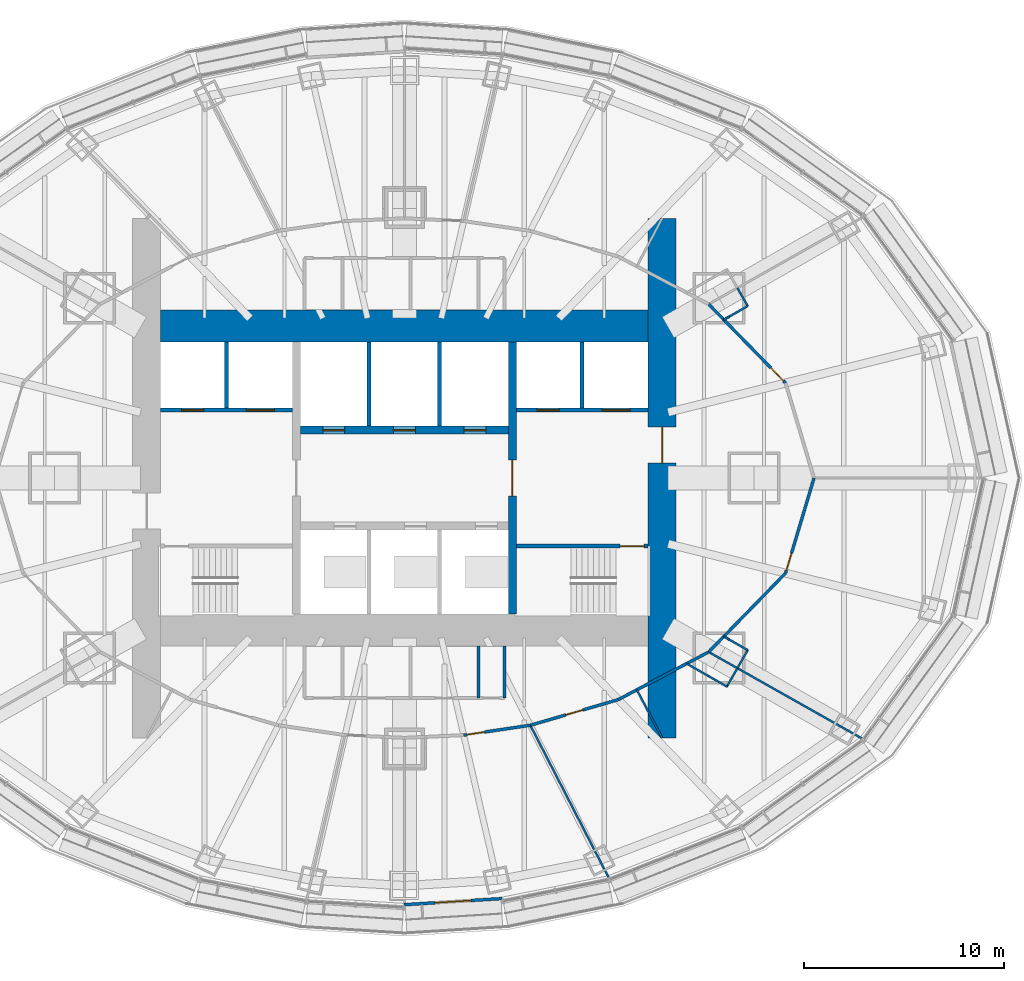
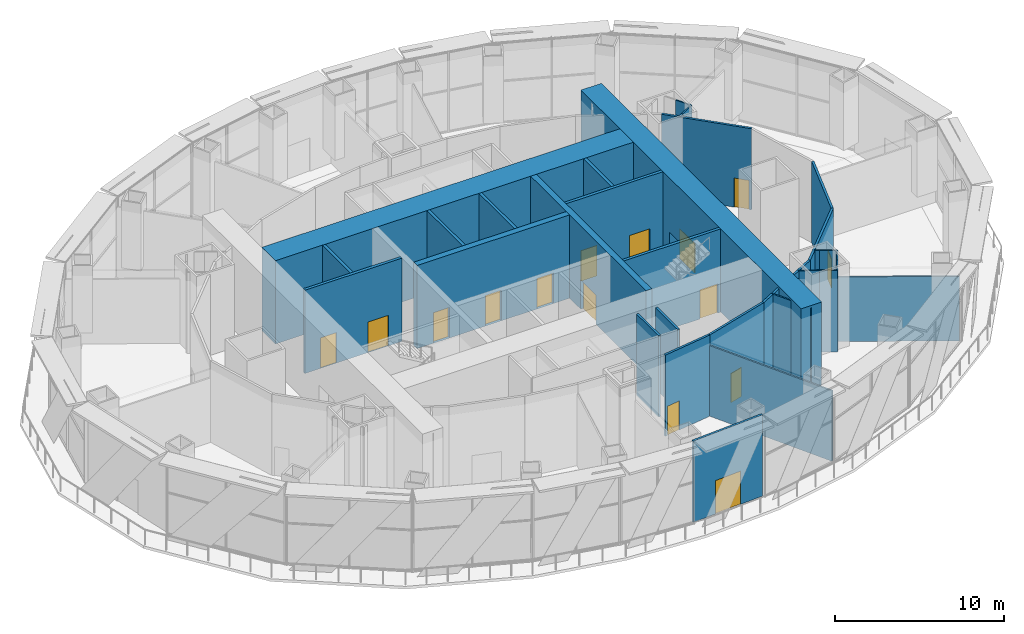
# One storey, part 12 of 21: 32 walls, 15 doors, 15 openings.
"""IFC4 building model written with IfcOpenShell, lengths in metres."""

from ifc_helpers import new_model, si_unit, direction, frame, frame_2d, origin, place, context, subcontext, project, spatial, rectangle, extrude, material, layer, layer_set, type_object, element, fill, save


model = new_model("IFC4")

# Units and contexts
model_context = context("Model", 3, precision=1e-05, world=origin(), true_north=direction((0.0, 1.0)))
body_context = subcontext(model_context, "Body", "Model", "MODEL_VIEW")
ifc_project = project(units=[si_unit("LENGTHUNIT", "METRE"), si_unit("AREAUNIT", "SQUARE_METRE"), si_unit("VOLUMEUNIT", "CUBIC_METRE"), si_unit("PLANEANGLEUNIT", "RADIAN"), si_unit("MASSUNIT", "GRAM", prefix="KILO")], contexts=[model_context])

# Site, building, storey
site_placement = place(None, origin())
site = spatial("IfcSite", under=ifc_project, at=site_placement, CompositionType="ELEMENT")
building_placement = place(site_placement, origin())
building = spatial("IfcBuilding", under=site, at=building_placement, Name="Lantaw Convention Tower", CompositionType="ELEMENT")
storey_placement = place(building_placement, frame((0.0, 0.0, 111.39990234375)))
storey = spatial("IfcBuildingStorey", under=building, at=storey_placement, Name="L26", CompositionType="ELEMENT", Elevation=111.39990234375)

# Walls
ifc_material_1 = material(Name="Fire-rated board casing on steel studs", Category="steel")
ifc_layer_1 = layer(ifc_material_1, 0.10009765625)
ifc_layer_set_1 = layer_set([ifc_layer_1], Name="Casing wall 100 EI 120")
wall_type_1 = type_object("IfcWallType", Name="Casing wall 100 EI 120", PredefinedType="PARTITIONING", material=ifc_layer_set_1)
wall_1_placement = place(storey_placement, frame((16.140625, -10.4326171875, 0.0), z_axis=(0.0, 0.0, 1.0), x_axis=(-0.868214523334, 0.496189017888, 0.0)))
element("IfcWall", 1, at=wall_1_placement, inside=storey, type_object=wall_type_1, Name="Casing wall 100", PredefinedType="PARTITIONING", context=body_context, shape_type="SweptSolid", body=[
    extrude(rectangle(XDim=1.050048828125, YDim=0.10009765625, at=frame_2d((0.52490234375, 0.0))), origin(), (0.0, 0.0, 1.0), 5.85009765625),
])
wall_2_placement = place(storey_placement, frame((15.22900390625, -9.91162109375, 0.0), z_axis=(0.0, 0.0, 1.0), x_axis=(-0.868290539594, 0.496055983587, 0.0)))
element("IfcWall", 2, at=wall_2_placement, inside=storey, type_object=wall_type_1, Name="Casing wall 100", PredefinedType="PARTITIONING", context=body_context, shape_type="SweptSolid", body=[
    extrude(rectangle(XDim=1.267822265625, YDim=0.10009765625, at=frame_2d((0.6337890625, 0.0))), origin(), (0.0, 0.0, 1.0), 5.85009765625),
])
wall_3_placement = place(storey_placement, frame((15.98681640625, -7.926025390625, 0.0), z_axis=(0.0, 0.0, 1.0), x_axis=(0.868289043195, -0.496058602856, 0.0)))
element("IfcWall", 3, at=wall_3_placement, inside=storey, type_object=wall_type_1, Name="Casing wall 100", PredefinedType="PARTITIONING", context=body_context, shape_type="SweptSolid", body=[
    extrude(rectangle(XDim=0.327392578125, YDim=0.10009765625, at=frame_2d((0.16357421875, 0.0))), origin(), (0.0, 0.0, 1.0), 5.85009765625),
])
wall_4_placement = place(storey_placement, frame((16.27099609375, -8.08837890625, 0.0), z_axis=(0.0, 0.0, 1.0), x_axis=(0.868214523334, -0.496189017888, 0.0)))
element("IfcWall", 4, at=wall_4_placement, inside=storey, type_object=wall_type_1, Name="Casing wall 100", PredefinedType="PARTITIONING", context=body_context, shape_type="SweptSolid", body=[
    extrude(rectangle(XDim=1.050048828125, YDim=0.10009765625, at=frame_2d((0.52490234375, 0.0))), origin(), (0.0, 0.0, 1.0), 5.85009765625),
])
wall_5_placement = place(storey_placement, frame((17.1826171875, -8.609375, 0.0), z_axis=(0.0, 0.0, 1.0), x_axis=(-0.49623995811, -0.868185408755, 0.0)))
element("IfcWall", 5, at=wall_5_placement, inside=storey, type_object=wall_type_1, Name="Casing wall 100", PredefinedType="PARTITIONING", context=body_context, shape_type="SweptSolid", body=[
    extrude(rectangle(XDim=1.041015625, YDim=0.10009765625, at=frame_2d((0.5205078125, 0.0))), origin(), (0.0, 0.0, 1.0), 5.85009765625),
])
for number, where, z_axis, x_axis, name in (
    (6, (16.66162109375, -9.52099609375, 0.0), (0.0, 0.0, 1.0), (-0.496189017888, -0.868214523334, 0.0), "Casing wall 100"),
    (7, (17.1826171875, 8.609375, 0.0), (0.0, 0.0, 1.0), (-0.868214523334, -0.496189017888, 0.0), "Casing wall 100"),
):
    element("IfcWall", number, at=place(storey_placement, frame(where, z_axis=z_axis, x_axis=x_axis)), inside=storey, type_object=wall_type_1, Name=name, PredefinedType="PARTITIONING", context=body_context, shape_type="SweptSolid", body=[
        extrude(rectangle(XDim=1.050048828125, YDim=0.10009765625, at=frame_2d((0.52490234375, 0.0))), origin(), (0.0, 0.0, 1.0), 5.85009765625),
    ])
wall_6_placement = place(storey_placement, frame((16.27099609375, 8.08837890625, 0.0), z_axis=(0.0, 0.0, 1.0), x_axis=(-0.868289043195, -0.496058602856, 0.0)))
element("IfcWall", 8, at=wall_6_placement, inside=storey, type_object=wall_type_1, Name="Casing wall 100", PredefinedType="PARTITIONING", context=body_context, shape_type="SweptSolid", body=[
    extrude(rectangle(XDim=0.327392578125, YDim=0.10009765625, at=frame_2d((0.16357421875, 0.0))), origin(), (0.0, 0.0, 1.0), 5.85009765625),
])
wall_7_placement = place(storey_placement, frame((16.666015625, 9.51318359375, 0.0), z_axis=(0.0, 0.0, 1.0), x_axis=(0.49623995811, -0.868185408755, 0.0)))
element("IfcWall", 9, at=wall_7_placement, inside=storey, type_object=wall_type_1, Name="Casing wall 100", PredefinedType="PARTITIONING", context=body_context, shape_type="SweptSolid", body=[
    extrude(rectangle(XDim=1.041015625, YDim=0.10009765625, at=frame_2d((0.5205078125, 0.0))), origin(), (0.0, 0.0, 1.0), 5.85009765625),
])

# Wall, opening, door
ifc_material_2 = material(Name="Concrete C60/75", Category="concrete")
ifc_layer_2 = layer(ifc_material_2, 1.39990234375)
ifc_layer_set_2 = layer_set([ifc_layer_2], Name="Core wall 1400")
wall_type_2 = type_object("IfcWallType", Name="Core wall 1400", PredefinedType="SHEAR", material=ifc_layer_set_2)
wall_8_placement = place(storey_placement, frame((12.89990234375, -13.0, 0.0), z_axis=(0.0, 0.0, 1.0), x_axis=(0.0, 1.0, 0.0)))
wall_8 = element("IfcWall", 10, at=wall_8_placement, inside=storey, type_object=wall_type_2, Name="Core wall E", PredefinedType="SHEAR", context=body_context, shape_type="SweptSolid", body=[
    extrude(rectangle(XDim=26.0, YDim=1.39990234375, at=frame_2d((13.0, 0.0))), origin(), (0.0, 0.0, 1.0), 6.0),
])
opening_1_placement = place(wall_8_placement, frame((13.75, 0.0, 0.0)))
opening_1 = element("IfcOpeningElement", 11, at=opening_1_placement, cuts=wall_8, Name="Opening L26.05", PredefinedType="OPENING", context=body_context, shape_type="SweptSolid", body=[
    extrude(rectangle(XDim=1.800048828125, YDim=2.10009765625, at=frame_2d((0.89990234375, 1.050048828125))), frame((0.0, 0.7099609375, 0.0), z_axis=(0.0, -1.0, 0.0), x_axis=(1.0, 0.0, 0.0)), (0.0, 0.0, 1.0), 1.419921875),
])
ifc_material_3 = material(Name="Steel, fire rated", Category="steel")
door_type_1 = type_object("IfcDoorType", Name="Lobby double door FD90", OperationType="DOUBLE_DOOR_DOUBLE_SWING", PredefinedType="DOOR", material=ifc_material_3)
door_1_placement = place(opening_1_placement, origin())
door_1 = element("IfcDoor", 12, at=door_1_placement, inside=storey, type_object=door_type_1, Name="Firefighting lobby door", OperationType="DOUBLE_DOOR_DOUBLE_SWING", OverallHeight=2.10009765625, OverallWidth=1.800048828125, PredefinedType="DOOR", context=body_context, shape_type="SweptSolid", body=[
    extrude(rectangle(XDim=1.800048828125, YDim=2.10009765625, at=frame_2d((0.89990234375, 1.050048828125))), frame((0.0, 0.02490234375, 0.0), z_axis=(0.0, -1.0, 0.0), x_axis=(1.0, 0.0, 0.0)), (0.0, 0.0, 1.0), 0.050048828125),
])
fill(opening_1, door_1)

# Wall
ifc_layer_3 = layer(ifc_material_2, 1.60009765625)
ifc_layer_set_3 = layer_set([ifc_layer_3], Name="Core wall 1600")
wall_type_3 = type_object("IfcWallType", Name="Core wall 1600", PredefinedType="SHEAR", material=ifc_layer_set_3)
wall_9_placement = place(storey_placement, frame((12.199951171875, 7.60009765625, 0.0), z_axis=(0.0, 0.0, 1.0), x_axis=(-1.0, 0.0, 0.0)))
element("IfcWall", 13, at=wall_9_placement, inside=storey, type_object=wall_type_3, Name="Core wall N", PredefinedType="SHEAR", context=body_context, shape_type="SweptSolid", body=[
    extrude(rectangle(XDim=24.39990234375, YDim=1.60009765625, at=frame_2d((12.199951171875, 0.0))), origin(), (0.0, 0.0, 1.0), 6.0),
])

# Wall, opening, door
ifc_layer_4 = layer(ifc_material_2, 0.199951171875)
ifc_layer_set_4 = layer_set([ifc_layer_4], Name="Core wall 200")
wall_type_4 = type_object("IfcWallType", Name="Core wall 200", PredefinedType="SHEAR", material=ifc_layer_set_4)
wall_10_placement = place(storey_placement, frame((5.60009765625, -3.39990234375, 0.0), z_axis=(0.0, 0.0, 1.0), x_axis=(1.0, 0.0, 0.0)))
wall_10 = element("IfcWall", 14, at=wall_10_placement, inside=storey, type_object=wall_type_4, Name="Core wall ES", PredefinedType="SHEAR", context=body_context, shape_type="SweptSolid", body=[
    extrude(rectangle(XDim=6.599853515625, YDim=0.199951171875, at=frame_2d((3.2998046875, 0.0))), origin(), (0.0, 0.0, 1.0), 6.0),
])
opening_2_placement = place(wall_10_placement, frame((5.199951171875, 0.0, 0.0)))
opening_2 = element("IfcOpeningElement", 15, at=opening_2_placement, cuts=wall_10, Name="Opening L26.03", PredefinedType="OPENING", context=body_context, shape_type="SweptSolid", body=[
    extrude(rectangle(XDim=1.199951171875, YDim=2.10009765625, at=frame_2d((0.60009765625, 1.050048828125))), frame((0.0, 0.10986328125, 0.0), z_axis=(0.0, -1.0, 0.0), x_axis=(1.0, 0.0, 0.0)), (0.0, 0.0, 1.0), 0.219970703125),
])
door_type_2 = type_object("IfcDoorType", Name="Stair door FD90", OperationType="SINGLE_SWING_RIGHT", PredefinedType="DOOR", material=ifc_material_3)
door_2_placement = place(opening_2_placement, origin())
door_2 = element("IfcDoor", 16, at=door_2_placement, inside=storey, type_object=door_type_2, Name="Exit stair door", OperationType="SINGLE_SWING_RIGHT", OverallHeight=2.10009765625, OverallWidth=1.199951171875, PredefinedType="DOOR", context=body_context, shape_type="SweptSolid", body=[
    extrude(rectangle(XDim=1.199951171875, YDim=2.10009765625, at=frame_2d((0.60009765625, 1.050048828125))), frame((0.0, 0.02490234375, 0.0), z_axis=(0.0, -1.0, 0.0), x_axis=(1.0, 0.0, 0.0)), (0.0, 0.0, 1.0), 0.050048828125),
])
fill(opening_2, door_2)

ifc_layer_5 = layer(ifc_material_2, 0.39990234375)
ifc_layer_set_5 = layer_set([ifc_layer_5], Name="Core wall 400")
wall_type_5 = type_object("IfcWallType", Name="Core wall 400", PredefinedType="SHEAR", material=ifc_layer_set_5)
wall_11_placement = place(storey_placement, frame((5.39990234375, -6.800048828125, 0.0), z_axis=(0.0, 0.0, 1.0), x_axis=(0.0, 1.0, 0.0)))
wall_11 = element("IfcWall", 17, at=wall_11_placement, inside=storey, type_object=wall_type_5, Name="Core wall XE", PredefinedType="SHEAR", context=body_context, shape_type="SweptSolid", body=[
    extrude(rectangle(XDim=13.60009765625, YDim=0.39990234375, at=frame_2d((6.800048828125, 0.0))), origin(), (0.0, 0.0, 1.0), 6.0),
])
opening_3_placement = place(wall_11_placement, frame((5.89990234375, 0.0, 0.0)))
opening_3 = element("IfcOpeningElement", 18, at=opening_3_placement, cuts=wall_11, Name="Opening L26.01", PredefinedType="OPENING", context=body_context, shape_type="SweptSolid", body=[
    extrude(rectangle(XDim=1.800048828125, YDim=2.10009765625, at=frame_2d((0.89990234375, 1.050048828125))), frame((0.0, 0.2099609375, 0.0), z_axis=(0.0, -1.0, 0.0), x_axis=(1.0, 0.0, 0.0)), (0.0, 0.0, 1.0), 0.419921875),
])
door_3_placement = place(opening_3_placement, origin())
door_3 = element("IfcDoor", 19, at=door_3_placement, inside=storey, type_object=door_type_1, Name="Lift lobby door", OperationType="DOUBLE_DOOR_DOUBLE_SWING", OverallHeight=2.10009765625, OverallWidth=1.800048828125, PredefinedType="DOOR", context=body_context, shape_type="SweptSolid", body=[
    extrude(rectangle(XDim=1.800048828125, YDim=2.10009765625, at=frame_2d((0.89990234375, 1.050048828125))), frame((0.0, 0.02490234375, 0.0), z_axis=(0.0, -1.0, 0.0), x_axis=(1.0, 0.0, 0.0)), (0.0, 0.0, 1.0), 0.050048828125),
])
fill(opening_3, door_3)

# Wall, openings, doors
wall_12_placement = place(storey_placement, frame((5.199951171875, 2.39990234375, 0.0), z_axis=(0.0, 0.0, 1.0), x_axis=(-1.0, 0.0, 0.0)))
wall_12 = element("IfcWall", 20, at=wall_12_placement, inside=storey, type_object=wall_type_5, Name="Core wall BN", PredefinedType="SHEAR", context=body_context, shape_type="SweptSolid", body=[
    extrude(rectangle(XDim=10.39990234375, YDim=0.39990234375, at=frame_2d((5.199951171875, 0.0))), origin(), (0.0, 0.0, 1.0), 6.0),
])
opening_4_placement = place(wall_12_placement, frame((8.183349609375, 0.0, 0.0)))
opening_4 = element("IfcOpeningElement", 21, at=opening_4_placement, cuts=wall_12, Name="Opening L26.07", PredefinedType="OPENING", context=body_context, shape_type="SweptSolid", body=[
    extrude(rectangle(XDim=1.10009765625, YDim=2.199951171875, at=frame_2d((0.550048828125, 1.10009765625))), frame((0.0, 0.2099609375, 0.0), z_axis=(0.0, -1.0, 0.0), x_axis=(1.0, 0.0, 0.0)), (0.0, 0.0, 1.0), 0.419921875),
])
opening_5_placement = place(wall_12_placement, frame((4.64990234375, 0.0, 0.0)))
opening_5 = element("IfcOpeningElement", 22, at=opening_5_placement, cuts=wall_12, Name="Opening L26.09", PredefinedType="OPENING", context=body_context, shape_type="SweptSolid", body=[
    extrude(rectangle(XDim=1.10009765625, YDim=2.199951171875, at=frame_2d((0.550048828125, 1.10009765625))), frame((0.0, 0.2099609375, 0.0), z_axis=(0.0, -1.0, 0.0), x_axis=(1.0, 0.0, 0.0)), (0.0, 0.0, 1.0), 0.419921875),
])
opening_6_placement = place(wall_12_placement, frame((1.11669921875, 0.0, 0.0)))
opening_6 = element("IfcOpeningElement", 23, at=opening_6_placement, cuts=wall_12, Name="Opening L26.11", PredefinedType="OPENING", context=body_context, shape_type="SweptSolid", body=[
    extrude(rectangle(XDim=1.10009765625, YDim=2.199951171875, at=frame_2d((0.550048828125, 1.10009765625))), frame((0.0, 0.2099609375, 0.0), z_axis=(0.0, -1.0, 0.0), x_axis=(1.0, 0.0, 0.0)), (0.0, 0.0, 1.0), 0.419921875),
])
ifc_material_4 = material(Name="Stainless steel", Category="steel")
door_type_3 = type_object("IfcDoorType", Name="Lift landing door 1100", OperationType="DOUBLE_DOOR_SLIDING", PredefinedType="DOOR", material=ifc_material_4)
door_4_placement = place(opening_4_placement, origin())
door_4 = element("IfcDoor", 24, at=door_4_placement, inside=storey, type_object=door_type_3, Name="Lift landing door N1", OperationType="DOUBLE_DOOR_SLIDING", OverallHeight=2.199951171875, OverallWidth=1.10009765625, PredefinedType="DOOR", context=body_context, shape_type="SweptSolid", body=[
    extrude(rectangle(XDim=1.10009765625, YDim=2.199951171875, at=frame_2d((0.550048828125, 1.10009765625))), frame((0.0, 0.02490234375, 0.0), z_axis=(0.0, -1.0, 0.0), x_axis=(1.0, 0.0, 0.0)), (0.0, 0.0, 1.0), 0.050048828125),
])
fill(opening_4, door_4)
door_5_placement = place(opening_5_placement, origin())
door_5 = element("IfcDoor", 25, at=door_5_placement, inside=storey, type_object=door_type_3, Name="Lift landing door N2", OperationType="DOUBLE_DOOR_SLIDING", OverallHeight=2.199951171875, OverallWidth=1.10009765625, PredefinedType="DOOR", context=body_context, shape_type="SweptSolid", body=[
    extrude(rectangle(XDim=1.10009765625, YDim=2.199951171875, at=frame_2d((0.550048828125, 1.10009765625))), frame((0.0, 0.02490234375, 0.0), z_axis=(0.0, -1.0, 0.0), x_axis=(1.0, 0.0, 0.0)), (0.0, 0.0, 1.0), 0.050048828125),
])
fill(opening_5, door_5)
door_6_placement = place(opening_6_placement, origin())
door_6 = element("IfcDoor", 26, at=door_6_placement, inside=storey, type_object=door_type_3, Name="Lift landing door N3", OperationType="DOUBLE_DOOR_SLIDING", OverallHeight=2.199951171875, OverallWidth=1.10009765625, PredefinedType="DOOR", context=body_context, shape_type="SweptSolid", body=[
    extrude(rectangle(XDim=1.10009765625, YDim=2.199951171875, at=frame_2d((0.550048828125, 1.10009765625))), frame((0.0, 0.02490234375, 0.0), z_axis=(0.0, -1.0, 0.0), x_axis=(1.0, 0.0, 0.0)), (0.0, 0.0, 1.0), 0.050048828125),
])
fill(opening_6, door_6)

# Wall, opening, door
ifc_material_5 = material(Name="Gypsum board on steel studs, fire rated", Category="steel")
ifc_layer_6 = layer(ifc_material_5, 0.14990234375)
ifc_layer_set_6 = layer_set([ifc_layer_6], Name="Corridor wall 150 EI 60")
wall_type_6 = type_object("IfcWallType", Name="Corridor wall 150 EI 60", PredefinedType="PARTITIONING", material=ifc_layer_set_6)
wall_13_placement = place(storey_placement, frame((19.078369140625, 4.7568359375, 0.0), z_axis=(0.0, 0.0, 1.0), x_axis=(-0.698305033542, 0.715800307439, 0.0)))
wall_13 = element("IfcWall", 27, at=wall_13_placement, inside=storey, type_object=wall_type_6, Name="Corridor wall 150", PredefinedType="PARTITIONING", context=body_context, shape_type="SweptSolid", body=[
    extrude(rectangle(XDim=5.51220703125, YDim=0.14990234375, at=frame_2d((2.756103515625, 0.0))), origin(), (0.0, 0.0, 1.0), 5.85009765625),
])
opening_7_placement = place(wall_13_placement, frame((0.14990234375, 0.0, 0.0)))
opening_7 = element("IfcOpeningElement", 28, at=opening_7_placement, cuts=wall_13, Name="Opening L26.25", PredefinedType="OPENING", context=body_context, shape_type="SweptSolid", body=[
    extrude(rectangle(XDim=0.89990234375, YDim=2.10009765625, at=frame_2d((0.449951171875, 1.050048828125))), frame((0.0, 0.0849609375, 0.0), z_axis=(0.0, -1.0, 0.0), x_axis=(1.0, 0.0, 0.0)), (0.0, 0.0, 1.0), 0.169921875),
])
door_type_4 = type_object("IfcDoorType", Name="Office door 900 FD30", OperationType="SINGLE_SWING_LEFT", PredefinedType="DOOR", material=ifc_material_3)
door_7_placement = place(opening_7_placement, origin())
door_7 = element("IfcDoor", 29, at=door_7_placement, inside=storey, type_object=door_type_4, Name="Tenant services office door", OperationType="SINGLE_SWING_LEFT", OverallHeight=2.10009765625, OverallWidth=0.89990234375, PredefinedType="DOOR", context=body_context, shape_type="SweptSolid", body=[
    extrude(rectangle(XDim=0.89990234375, YDim=2.10009765625, at=frame_2d((0.449951171875, 1.050048828125))), frame((0.0, 0.02490234375, 0.0), z_axis=(0.0, -1.0, 0.0), x_axis=(1.0, 0.0, 0.0)), (0.0, 0.0, 1.0), 0.050048828125),
])
fill(opening_7, door_7)

wall_14_placement = place(storey_placement, frame((2.9697265625, -12.86279296875, 0.0), z_axis=(0.0, 0.0, 1.0), x_axis=(0.989262902935, 0.146146874329, 0.0)))
wall_14 = element("IfcWall", 30, at=wall_14_placement, inside=storey, type_object=wall_type_6, Name="Corridor wall 150", PredefinedType="PARTITIONING", context=body_context, shape_type="SweptSolid", body=[
    extrude(rectangle(XDim=3.369384765625, YDim=0.14990234375, at=frame_2d((1.6845703125, 0.0))), origin(), (0.0, 0.0, 1.0), 5.85009765625),
])
opening_8_placement = place(wall_14_placement, frame((0.14990234375, 0.0, 0.0)))
opening_8 = element("IfcOpeningElement", 31, at=opening_8_placement, cuts=wall_14, Name="Opening L26.35", PredefinedType="OPENING", context=body_context, shape_type="SweptSolid", body=[
    extrude(rectangle(XDim=0.89990234375, YDim=2.10009765625, at=frame_2d((0.449951171875, 1.050048828125))), frame((0.0, 0.0849609375, 0.0), z_axis=(0.0, -1.0, 0.0), x_axis=(1.0, 0.0, 0.0)), (0.0, 0.0, 1.0), 0.169921875),
])
door_8_placement = place(opening_8_placement, origin())
door_8 = element("IfcDoor", 32, at=door_8_placement, inside=storey, type_object=door_type_4, Name="Concierge office door", OperationType="SINGLE_SWING_LEFT", OverallHeight=2.10009765625, OverallWidth=0.89990234375, PredefinedType="DOOR", context=body_context, shape_type="SweptSolid", body=[
    extrude(rectangle(XDim=0.89990234375, YDim=2.10009765625, at=frame_2d((0.449951171875, 1.050048828125))), frame((0.0, 0.02490234375, 0.0), z_axis=(0.0, -1.0, 0.0), x_axis=(1.0, 0.0, 0.0)), (0.0, 0.0, 1.0), 0.050048828125),
])
fill(opening_8, door_8)

wall_15_placement = place(storey_placement, frame((6.302978515625, -12.370361328125, 0.0), z_axis=(0.0, 0.0, 1.0), x_axis=(0.96001728753, 0.279940721659, 0.0)))
wall_15 = element("IfcWall", 33, at=wall_15_placement, inside=storey, type_object=wall_type_6, Name="Corridor wall 150", PredefinedType="PARTITIONING", context=body_context, shape_type="SweptSolid", body=[
    extrude(rectangle(XDim=4.58642578125, YDim=0.14990234375, at=frame_2d((2.293212890625, 0.0))), origin(), (0.0, 0.0, 1.0), 5.85009765625),
])
opening_9_placement = place(wall_15_placement, frame((1.84326171875, 0.0, 0.0)))
opening_9 = element("IfcOpeningElement", 34, at=opening_9_placement, cuts=wall_15, Name="Opening L26.36", PredefinedType="OPENING", context=body_context, shape_type="SweptSolid", body=[
    extrude(rectangle(XDim=0.89990234375, YDim=2.10009765625, at=frame_2d((0.449951171875, 1.050048828125))), frame((0.0, 0.0849609375, 0.0), z_axis=(0.0, -1.0, 0.0), x_axis=(1.0, 0.0, 0.0)), (0.0, 0.0, 1.0), 0.169921875),
])
door_9_placement = place(opening_9_placement, origin())
door_9 = element("IfcDoor", 35, at=door_9_placement, inside=storey, type_object=door_type_4, Name="Business centre office door", OperationType="SINGLE_SWING_LEFT", OverallHeight=2.10009765625, OverallWidth=0.89990234375, PredefinedType="DOOR", context=body_context, shape_type="SweptSolid", body=[
    extrude(rectangle(XDim=0.89990234375, YDim=2.10009765625, at=frame_2d((0.449951171875, 1.050048828125))), frame((0.0, 0.02490234375, 0.0), z_axis=(0.0, -1.0, 0.0), x_axis=(1.0, 0.0, 0.0)), (0.0, 0.0, 1.0), 0.050048828125),
])
fill(opening_9, door_9)

# Walls
wall_16_placement = place(storey_placement, frame((10.7060546875, -11.08642578125, 0.0), z_axis=(0.0, 0.0, 1.0), x_axis=(0.884643590306, 0.466267860924, 0.0)))
element("IfcWall", 36, at=wall_16_placement, inside=storey, type_object=wall_type_6, Name="Corridor wall 150", PredefinedType="PARTITIONING", context=body_context, shape_type="SweptSolid", body=[
    extrude(rectangle(XDim=5.113037109375, YDim=0.14990234375, at=frame_2d((2.556640625, 0.0))), origin(), (0.0, 0.0, 1.0), 5.85009765625),
])
wall_17_placement = place(storey_placement, frame((15.229248046875, -8.702392578125, 0.0), z_axis=(0.0, 0.0, 1.0), x_axis=(0.698305033542, 0.715800307439, 0.0)))
element("IfcWall", 37, at=wall_17_placement, inside=storey, type_object=wall_type_6, Name="Corridor wall 150", PredefinedType="PARTITIONING", context=body_context, shape_type="SweptSolid", body=[
    extrude(rectangle(XDim=5.51220703125, YDim=0.14990234375, at=frame_2d((2.756103515625, 0.0))), origin(), (0.0, 0.0, 1.0), 5.85009765625),
])

# Wall, opening, door
wall_18_placement = place(storey_placement, frame((19.078369140625, -4.7568359375, 0.0), z_axis=(0.0, 0.0, 1.0), x_axis=(0.286346182056, 0.958126225516, 0.0)))
wall_18 = element("IfcWall", 38, at=wall_18_placement, inside=storey, type_object=wall_type_6, Name="Corridor wall 150", PredefinedType="PARTITIONING", context=body_context, shape_type="SweptSolid", body=[
    extrude(rectangle(XDim=4.96484375, YDim=0.14990234375, at=frame_2d((2.482421875, 0.0))), origin(), (0.0, 0.0, 1.0), 5.85009765625),
])
opening_10_placement = place(wall_18_placement, frame((0.14990234375, 0.0, 0.0)))
opening_10 = element("IfcOpeningElement", 39, at=opening_10_placement, cuts=wall_18, Name="Opening L26.37", PredefinedType="OPENING", context=body_context, shape_type="SweptSolid", body=[
    extrude(rectangle(XDim=0.89990234375, YDim=2.10009765625, at=frame_2d((0.449951171875, 1.050048828125))), frame((0.0, 0.0849609375, 0.0), z_axis=(0.0, -1.0, 0.0), x_axis=(1.0, 0.0, 0.0)), (0.0, 0.0, 1.0), 0.169921875),
])
door_10_placement = place(opening_10_placement, origin())
door_10 = element("IfcDoor", 40, at=door_10_placement, inside=storey, type_object=door_type_4, Name="Business centre office door", OperationType="SINGLE_SWING_LEFT", OverallHeight=2.10009765625, OverallWidth=0.89990234375, PredefinedType="DOOR", context=body_context, shape_type="SweptSolid", body=[
    extrude(rectangle(XDim=0.89990234375, YDim=2.10009765625, at=frame_2d((0.449951171875, 1.050048828125))), frame((0.0, 0.02490234375, 0.0), z_axis=(0.0, -1.0, 0.0), x_axis=(1.0, 0.0, 0.0)), (0.0, 0.0, 1.0), 0.050048828125),
])
fill(opening_10, door_10)

ifc_material_6 = material(Name="Aluminium framed glazing", Category="aluminium")
ifc_layer_7 = layer(ifc_material_6, 0.14990234375)
ifc_layer_set_7 = layer_set([ifc_layer_7], Name="Glazed entrance screen 150")
wall_type_7 = type_object("IfcWallType", Name="Glazed entrance screen 150", PredefinedType="ELEMENTEDWALL", material=ifc_layer_set_7)
wall_19_placement = place(storey_placement, frame((-0.009521484375, -21.350341796875, 0.0), z_axis=(0.0, 0.0, 1.0), x_axis=(0.998023012605, 0.062849552989, 0.0)))
wall_19 = element("IfcWall", 41, at=wall_19_placement, inside=storey, type_object=wall_type_7, Name="Glazed entrance screen", PredefinedType="ELEMENTEDWALL", context=body_context, shape_type="SweptSolid", body=[
    extrude(rectangle(XDim=4.90234375, YDim=0.14990234375, at=frame_2d((2.451171875, 0.0))), origin(), (0.0, 0.0, 1.0), 5.85009765625),
])
opening_11_placement = place(wall_19_placement, frame((1.551025390625, 0.0, 0.0)))
opening_11 = element("IfcOpeningElement", 42, at=opening_11_placement, cuts=wall_19, Name="Opening L26.E18", PredefinedType="OPENING", context=body_context, shape_type="SweptSolid", body=[
    extrude(rectangle(XDim=1.800048828125, YDim=2.39990234375, at=frame_2d((0.89990234375, 1.199951171875))), frame((0.0, 0.0849609375, 0.0), z_axis=(0.0, -1.0, 0.0), x_axis=(1.0, 0.0, 0.0)), (0.0, 0.0, 1.0), 0.169921875),
])
ifc_material_7 = material(Name="Aluminium and glass", Category="aluminium")
door_type_5 = type_object("IfcDoorType", Name="Terrace door 1800", OperationType="DOUBLE_DOOR_DOUBLE_SWING", PredefinedType="DOOR", material=ifc_material_7)
door_11_placement = place(opening_11_placement, origin())
door_11 = element("IfcDoor", 43, at=door_11_placement, inside=storey, type_object=door_type_5, Name="Terrace door", OperationType="DOUBLE_DOOR_DOUBLE_SWING", OverallHeight=2.39990234375, OverallWidth=1.800048828125, PredefinedType="DOOR", context=body_context, shape_type="SweptSolid", body=[
    extrude(rectangle(XDim=1.800048828125, YDim=2.39990234375, at=frame_2d((0.89990234375, 1.199951171875))), frame((0.0, 0.02490234375, 0.0), z_axis=(0.0, -1.0, 0.0), x_axis=(1.0, 0.0, 0.0)), (0.0, 0.0, 1.0), 0.050048828125),
])
fill(opening_11, door_11)

# Walls
ifc_material_8 = material(Name="Gypsum board on steel studs, acoustic", Category="steel")
ifc_layer_8 = layer(ifc_material_8, 0.10009765625)
ifc_layer_set_8 = layer_set([ifc_layer_8], Name="Office partition 100")
wall_type_8 = type_object("IfcWallType", Name="Office partition 100", PredefinedType="PARTITIONING", material=ifc_layer_set_8)
wall_20_placement = place(storey_placement, frame((10.253173828125, -20.0517578125, 0.0), z_axis=(0.0, 0.0, 1.0), x_axis=(-0.457326298316, 0.88929896934, 0.0)))
element("IfcWall", 44, at=wall_20_placement, inside=storey, type_object=wall_type_8, Name="Office partition 100", PredefinedType="PARTITIONING", context=body_context, shape_type="SweptSolid", body=[
    extrude(rectangle(XDim=8.6376953125, YDim=0.10009765625, at=frame_2d((4.31884765625, 0.0))), origin(), (0.0, 0.0, 1.0), 5.08056640625),
])
wall_21_placement = place(storey_placement, frame((22.94921875, -13.05908203125, 0.0), z_axis=(0.0, 0.0, 1.0), x_axis=(-0.870889908693, 0.491478144923, 0.0)))
element("IfcWall", 45, at=wall_21_placement, inside=storey, type_object=wall_type_8, Name="Office partition 100", PredefinedType="PARTITIONING", context=body_context, shape_type="SweptSolid", body=[
    extrude(rectangle(XDim=8.864501953125, YDim=0.10009765625, at=frame_2d((4.43212890625, 0.0))), origin(), (0.0, 0.0, 1.0), 4.650146484375),
])
wall_22_placement = place(storey_placement, frame((12.89990234375, -13.0, 0.0), z_axis=(0.0, 0.0, 1.0), x_axis=(-0.466205800243, 0.884676297761, 0.0)))
element("IfcWall", 46, at=wall_22_placement, inside=storey, type_object=wall_type_8, Name="Office partition 100", PredefinedType="PARTITIONING", context=body_context, shape_type="SweptSolid", body=[
    extrude(rectangle(XDim=2.7158203125, YDim=0.10009765625, at=frame_2d((1.35791015625, 0.0))), origin(), (0.0, 0.0, 1.0), 5.85009765625),
])
ifc_material_9 = material(Name="Concrete blockwork, fire rated", Category="masonry")
ifc_layer_9 = layer(ifc_material_9, 0.199951171875)
ifc_layer_set_9 = layer_set([ifc_layer_9], Name="Shaft wall 200")
wall_type_9 = type_object("IfcWallType", Name="Shaft wall 200", PredefinedType="SOLIDWALL", material=ifc_layer_set_9)
for number, where, z_axis, x_axis, name in (
    (47, (-1.7666015625, 2.60009765625, 0.0), (0.0, 0.0, 1.0), (0.0, 1.0, 0.0), "Shaft wall DN1"),
    (48, (1.7666015625, 2.60009765625, 0.0), (0.0, 0.0, 1.0), (0.0, 1.0, 0.0), "Shaft wall DN2"),
):
    element("IfcWall", number, at=place(storey_placement, frame(where, z_axis=z_axis, x_axis=x_axis)), inside=storey, type_object=wall_type_9, Name=name, PredefinedType="SOLIDWALL", context=body_context, shape_type="SweptSolid", body=[
        extrude(rectangle(XDim=4.199951171875, YDim=0.199951171875, at=frame_2d((2.10009765625, 0.0))), origin(), (0.0, 0.0, 1.0), 6.0),
    ])

# Wall, openings, doors
wall_23_placement = place(storey_placement, frame((12.199951171875, 3.39990234375, 0.0), z_axis=(0.0, 0.0, 1.0), x_axis=(-1.0, 0.0, 0.0)))
wall_23 = element("IfcWall", 49, at=wall_23_placement, inside=storey, type_object=wall_type_9, Name="Shaft wall EN", PredefinedType="SOLIDWALL", context=body_context, shape_type="SweptSolid", body=[
    extrude(rectangle(XDim=6.599853515625, YDim=0.199951171875, at=frame_2d((3.2998046875, 0.0))), origin(), (0.0, 0.0, 1.0), 6.0),
])
opening_12_placement = place(wall_23_placement, frame((4.449951171875, 0.0, 0.0)))
opening_12 = element("IfcOpeningElement", 50, at=opening_12_placement, cuts=wall_23, Name="Opening L26.15", PredefinedType="OPENING", context=body_context, shape_type="SweptSolid", body=[
    extrude(rectangle(XDim=1.10009765625, YDim=2.199951171875, at=frame_2d((0.550048828125, 1.10009765625))), frame((0.0, 0.10986328125, 0.0), z_axis=(0.0, -1.0, 0.0), x_axis=(1.0, 0.0, 0.0)), (0.0, 0.0, 1.0), 0.219970703125),
])
opening_13_placement = place(wall_23_placement, frame((0.89990234375, 0.0, 0.0)))
opening_13 = element("IfcOpeningElement", 51, at=opening_13_placement, cuts=wall_23, Name="Opening L26.16", PredefinedType="OPENING", context=body_context, shape_type="SweptSolid", body=[
    extrude(rectangle(XDim=1.39990234375, YDim=2.199951171875, at=frame_2d((0.699951171875, 1.10009765625))), frame((0.0, 0.10986328125, 0.0), z_axis=(0.0, -1.0, 0.0), x_axis=(1.0, 0.0, 0.0)), (0.0, 0.0, 1.0), 0.219970703125),
])
door_12_placement = place(opening_12_placement, origin())
door_12 = element("IfcDoor", 52, at=door_12_placement, inside=storey, type_object=door_type_3, Name="Lift landing door FF2", OperationType="DOUBLE_DOOR_SLIDING", OverallHeight=2.199951171875, OverallWidth=1.10009765625, PredefinedType="DOOR", context=body_context, shape_type="SweptSolid", body=[
    extrude(rectangle(XDim=1.10009765625, YDim=2.199951171875, at=frame_2d((0.550048828125, 1.10009765625))), frame((0.0, 0.02490234375, 0.0), z_axis=(0.0, -1.0, 0.0), x_axis=(1.0, 0.0, 0.0)), (0.0, 0.0, 1.0), 0.050048828125),
])
fill(opening_12, door_12)
door_type_6 = type_object("IfcDoorType", Name="Lift landing door 1400", OperationType="DOUBLE_DOOR_SLIDING", PredefinedType="DOOR", material=ifc_material_4)
door_13_placement = place(opening_13_placement, origin())
door_13 = element("IfcDoor", 53, at=door_13_placement, inside=storey, type_object=door_type_6, Name="Lift landing door SV2", OperationType="DOUBLE_DOOR_SLIDING", OverallHeight=2.199951171875, OverallWidth=1.39990234375, PredefinedType="DOOR", context=body_context, shape_type="SweptSolid", body=[
    extrude(rectangle(XDim=1.39990234375, YDim=2.199951171875, at=frame_2d((0.699951171875, 1.10009765625))), frame((0.0, 0.02490234375, 0.0), z_axis=(0.0, -1.0, 0.0), x_axis=(1.0, 0.0, 0.0)), (0.0, 0.0, 1.0), 0.050048828125),
])
fill(opening_13, door_13)

# Wall
wall_24_placement = place(storey_placement, frame((8.89990234375, 3.5, 0.0), z_axis=(0.0, 0.0, 1.0), x_axis=(0.0, 1.0, 0.0)))
element("IfcWall", 54, at=wall_24_placement, inside=storey, type_object=wall_type_9, Name="Shaft wall ED", PredefinedType="SOLIDWALL", context=body_context, shape_type="SweptSolid", body=[
    extrude(rectangle(XDim=3.300048828125, YDim=0.199951171875, at=frame_2d((1.64990234375, 0.0))), origin(), (0.0, 0.0, 1.0), 6.0),
])

# Wall, openings, doors
wall_25_placement = place(storey_placement, frame((-12.199951171875, 3.39990234375, 0.0), z_axis=(0.0, 0.0, 1.0), x_axis=(1.0, 0.0, 0.0)))
wall_25 = element("IfcWall", 55, at=wall_25_placement, inside=storey, type_object=wall_type_9, Name="Shaft wall WN", PredefinedType="SOLIDWALL", context=body_context, shape_type="SweptSolid", body=[
    extrude(rectangle(XDim=6.599853515625, YDim=0.199951171875, at=frame_2d((3.2998046875, 0.0))), origin(), (0.0, 0.0, 1.0), 6.0),
])
opening_14_placement = place(wall_25_placement, frame((1.050048828125, 0.0, 0.0)))
opening_14 = element("IfcOpeningElement", 56, at=opening_14_placement, cuts=wall_25, Name="Opening L26.13", PredefinedType="OPENING", context=body_context, shape_type="SweptSolid", body=[
    extrude(rectangle(XDim=1.10009765625, YDim=2.199951171875, at=frame_2d((0.550048828125, 1.10009765625))), frame((0.0, 0.10986328125, 0.0), z_axis=(0.0, -1.0, 0.0), x_axis=(1.0, 0.0, 0.0)), (0.0, 0.0, 1.0), 0.219970703125),
])
opening_15_placement = place(wall_25_placement, frame((4.300048828125, 0.0, 0.0)))
opening_15 = element("IfcOpeningElement", 57, at=opening_15_placement, cuts=wall_25, Name="Opening L26.14", PredefinedType="OPENING", context=body_context, shape_type="SweptSolid", body=[
    extrude(rectangle(XDim=1.39990234375, YDim=2.199951171875, at=frame_2d((0.699951171875, 1.10009765625))), frame((0.0, 0.10986328125, 0.0), z_axis=(0.0, -1.0, 0.0), x_axis=(1.0, 0.0, 0.0)), (0.0, 0.0, 1.0), 0.219970703125),
])
door_14_placement = place(opening_14_placement, origin())
door_14 = element("IfcDoor", 58, at=door_14_placement, inside=storey, type_object=door_type_3, Name="Lift landing door FF1", OperationType="DOUBLE_DOOR_SLIDING", OverallHeight=2.199951171875, OverallWidth=1.10009765625, PredefinedType="DOOR", context=body_context, shape_type="SweptSolid", body=[
    extrude(rectangle(XDim=1.10009765625, YDim=2.199951171875, at=frame_2d((0.550048828125, 1.10009765625))), frame((0.0, 0.02490234375, 0.0), z_axis=(0.0, -1.0, 0.0), x_axis=(1.0, 0.0, 0.0)), (0.0, 0.0, 1.0), 0.050048828125),
])
fill(opening_14, door_14)
door_15_placement = place(opening_15_placement, origin())
door_15 = element("IfcDoor", 59, at=door_15_placement, inside=storey, type_object=door_type_6, Name="Lift landing door SV1", OperationType="DOUBLE_DOOR_SLIDING", OverallHeight=2.199951171875, OverallWidth=1.39990234375, PredefinedType="DOOR", context=body_context, shape_type="SweptSolid", body=[
    extrude(rectangle(XDim=1.39990234375, YDim=2.199951171875, at=frame_2d((0.699951171875, 1.10009765625))), frame((0.0, 0.02490234375, 0.0), z_axis=(0.0, -1.0, 0.0), x_axis=(1.0, 0.0, 0.0)), (0.0, 0.0, 1.0), 0.050048828125),
])
fill(opening_15, door_15)

# Walls
wall_26_placement = place(storey_placement, frame((-8.89990234375, 3.5, 0.0), z_axis=(0.0, 0.0, 1.0), x_axis=(0.0, 1.0, 0.0)))
element("IfcWall", 60, at=wall_26_placement, inside=storey, type_object=wall_type_9, Name="Shaft wall WD", PredefinedType="SOLIDWALL", context=body_context, shape_type="SweptSolid", body=[
    extrude(rectangle(XDim=3.300048828125, YDim=0.199951171875, at=frame_2d((1.64990234375, 0.0))), origin(), (0.0, 0.0, 1.0), 6.0),
])
ifc_material_10 = material(Name="Concrete blockwork", Category="masonry")
ifc_layer_10 = layer(ifc_material_10, 0.14990234375)
ifc_layer_set_10 = layer_set([ifc_layer_10], Name="WC wall 150")
wall_type_10 = type_object("IfcWallType", Name="WC wall 150", PredefinedType="SOLIDWALL", material=ifc_layer_set_10)
for number, where, z_axis, x_axis, name in (
    (61, (5.0, -8.39990234375, 0.0), (0.0, 0.0, 1.0), (0.0, -1.0, 0.0), "WC wall 150"),
    (62, (3.699951171875, -8.39990234375, 0.0), (0.0, 0.0, 1.0), (0.0, -1.0, 0.0), "WC wall 150"),
):
    element("IfcWall", number, at=place(storey_placement, frame(where, z_axis=z_axis, x_axis=x_axis)), inside=storey, type_object=wall_type_10, Name=name, PredefinedType="SOLIDWALL", context=body_context, shape_type="SweptSolid", body=[
        extrude(rectangle(XDim=2.607177734375, YDim=0.14990234375, at=frame_2d((1.3037109375, 0.0))), origin(), (0.0, 0.0, 1.0), 5.85009765625),
    ])

save(model, "model.ifc")
